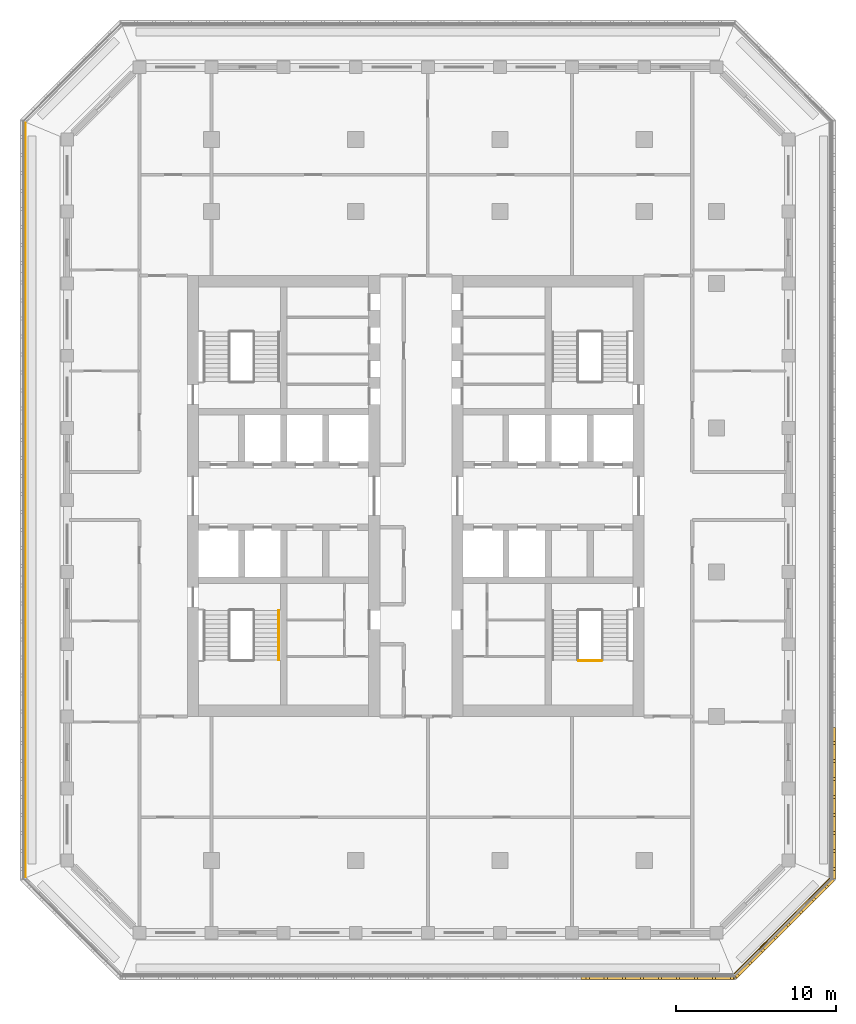
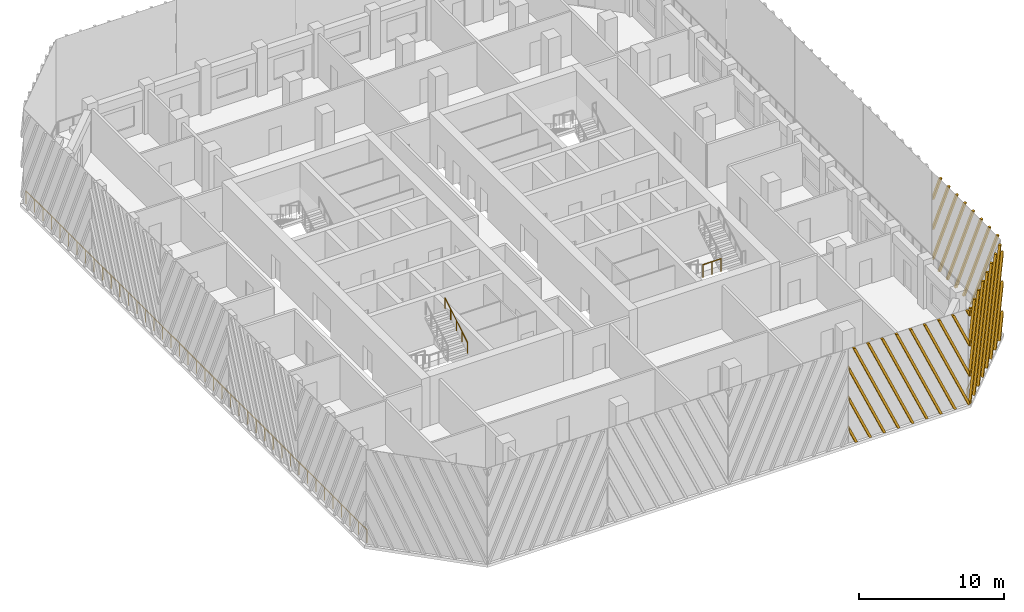
# One storey, part 11 of 17: 4 railings, 3 shading devices.
"""IFC4 building model written with IfcOpenShell, lengths in metres."""

from ifc_helpers import new_model, si_unit, direction, frame, origin, origin_2d, place, context, subcontext, project, spatial, polyline, circle, outline, extrude, source, transform, mapped, material, type_object, element, save


model = new_model("IFC4")

# Units and contexts
model_context = context("Model", 3, precision=1e-05, world=origin(), true_north=direction((0.0, 1.0)))
body_context = subcontext(model_context, "Body", "Model", "MODEL_VIEW")
ifc_project = project(units=[si_unit("LENGTHUNIT", "METRE"), si_unit("AREAUNIT", "SQUARE_METRE"), si_unit("VOLUMEUNIT", "CUBIC_METRE"), si_unit("PLANEANGLEUNIT", "RADIAN"), si_unit("MASSUNIT", "GRAM", prefix="KILO")], contexts=[model_context])

# Site, building, storey
site_placement = place(None, origin())
site = spatial("IfcSite", under=ifc_project, at=site_placement, CompositionType="ELEMENT")
building_placement = place(site_placement, origin())
building = spatial("IfcBuilding", under=site, at=building_placement, Name="Corbel Stack Research Tower", CompositionType="ELEMENT")
storey_placement = place(building_placement, frame((0.0, 0.0, 239.800048828125)))
storey = spatial("IfcBuildingStorey", under=building, at=storey_placement, Name="L54", CompositionType="ELEMENT", Elevation=239.800048828125)

# Railings
ifc_material_1 = material(Name="Steel S355", Category="steel")
railing_type_1 = type_object("IfcRailingType", Name="Stair guard 1100", PredefinedType="GUARDRAIL", material=ifc_material_1)
railing_1_placement = place(storey_placement, frame((13.89990234375, -5.530029296875, 2.050048828125)))
element("IfcRailing", 1, at=railing_1_placement, inside=storey, type_object=railing_type_1, Name="L54 ST-E1 stair guard 2", PredefinedType="GUARDRAIL", context=body_context, shape_type="SweptSolid", body=[
    extrude(circle(Radius=0.02392578125, at=origin_2d()), frame((0.0, 0.0, 1.076171875), z_axis=(1.0, 0.0, 0.0), x_axis=(0.0, 1.0, 0.0)), (0.0, 0.0, 1.0), 1.4501953125),
    extrude(circle(Radius=0.02099609375, at=origin_2d()), origin(), (0.0, 0.0, 1.0), 1.052001953125),
    extrude(circle(Radius=0.02099609375, at=origin_2d()), frame((0.72509765625, 0.0, 0.0)), (0.0, 0.0, 1.0), 1.052001953125),
    extrude(circle(Radius=0.02099609375, at=origin_2d()), frame((1.4501953125, 0.0, 0.0)), (0.0, 0.0, 1.0), 1.052001953125),
])
ifc_material_2 = material(Name="Steel S355", Category="steel")
railing_type_2 = type_object("IfcRailingType", Name="Stair handrail 900", PredefinedType="HANDRAIL", material=ifc_material_2)
railing_2_placement = place(storey_placement, frame((-4.800048828125, -5.47998046875, 2.220703125)))
element("IfcRailing", 2, at=railing_2_placement, inside=storey, type_object=railing_type_2, Name="L54 ST-W1 stair handrail 2", PredefinedType="HANDRAIL", context=body_context, shape_type="SweptSolid", body=[
    extrude(circle(Radius=0.02392578125, at=origin_2d()), frame((0.0, 0.0, 0.8759765625), z_axis=(0.0, 0.853666305674, 0.52082035152), x_axis=(-1.0, 0.0, 0.0)), (0.0, 0.0, 1.0), 3.608154296875),
    extrude(circle(Radius=0.02099609375, at=origin_2d()), origin(), (0.0, 0.0, 1.0), 0.851806640625),
    extrude(circle(Radius=0.02099609375, at=origin_2d()), frame((0.0, 0.77001953125, 0.4697265625)), (0.0, 0.0, 1.0), 0.851806640625),
    extrude(circle(Radius=0.02099609375, at=origin_2d()), frame((0.0, 1.5400390625, 0.939453125)), (0.0, 0.0, 1.0), 0.851806640625),
    extrude(circle(Radius=0.02099609375, at=origin_2d()), frame((0.0, 2.31005859375, 1.409423828125)), (0.0, 0.0, 1.0), 0.851806640625),
    extrude(circle(Radius=0.02099609375, at=origin_2d()), frame((0.0, 3.080078125, 1.879150390625)), (0.0, 0.0, 1.0), 0.851806640625),
])
ifc_material_3 = material(Name="Powder-coated steel guard", Category="steel")
railing_type_3 = type_object("IfcRailingType", Name="Steel and glass guard 1100", PredefinedType="GUARDRAIL", material=ifc_material_3)
railing_3_placement = place(storey_placement, frame((23.627685546875, -25.04931640625, 0.0)))
element("IfcRailing", 3, at=railing_3_placement, inside=storey, type_object=railing_type_3, Name="Loggia guard L54 SE", PredefinedType="GUARDRAIL", context=body_context, shape_type="SweptSolid", body=[
    extrude(circle(Radius=0.02392578125, at=origin_2d()), frame((0.0, 0.0, 1.076171875), z_axis=(0.707106781187, 0.707106781187, 0.0), x_axis=(-0.707106781187, 0.707106781187, 0.0)), (0.0, 0.0, 1.0), 8.37451171875),
    extrude(circle(Radius=0.02099609375, at=origin_2d()), origin(), (0.0, 0.0, 1.0), 1.052001953125),
    extrude(circle(Radius=0.02099609375, at=origin_2d()), frame((0.845947265625, 0.845947265625, 0.0)), (0.0, 0.0, 1.0), 1.052001953125),
    extrude(circle(Radius=0.02099609375, at=origin_2d()), frame((1.69189453125, 1.69189453125, 0.0)), (0.0, 0.0, 1.0), 1.052001953125),
    extrude(circle(Radius=0.02099609375, at=origin_2d()), frame((2.537841796875, 2.537841796875, 0.0)), (0.0, 0.0, 1.0), 1.052001953125),
    extrude(circle(Radius=0.02099609375, at=origin_2d()), frame((3.3837890625, 3.3837890625, 0.0)), (0.0, 0.0, 1.0), 1.052001953125),
    extrude(circle(Radius=0.02099609375, at=origin_2d()), frame((4.229736328125, 4.229736328125, 0.0)), (0.0, 0.0, 1.0), 1.052001953125),
    extrude(circle(Radius=0.02099609375, at=origin_2d()), frame((5.07568359375, 5.07568359375, 0.0)), (0.0, 0.0, 1.0), 1.052001953125),
    extrude(circle(Radius=0.02099609375, at=origin_2d()), frame((5.921630859375, 5.921630859375, 0.0)), (0.0, 0.0, 1.0), 1.052001953125),
])
railing_4_placement = place(storey_placement, frame((-20.60009765625, 28.00537109375, 0.0)))
element("IfcRailing", 4, at=railing_4_placement, inside=storey, type_object=railing_type_3, Name="Loggia guard L54 W", PredefinedType="GUARDRAIL", context=body_context, shape_type="SweptSolid", body=[
    extrude(circle(Radius=0.02392578125, at=origin_2d()), frame((0.0, 0.0, 1.076171875), z_axis=(0.0, -1.0, 0.0), x_axis=(1.0, 0.0, 0.0)), (0.0, 0.0, 1.0), 47.0107421875),
    extrude(circle(Radius=0.02099609375, at=origin_2d()), origin(), (0.0, 0.0, 1.0), 1.052001953125),
    extrude(circle(Radius=0.02099609375, at=origin_2d()), frame((0.0, -1.17529296875, 0.0)), (0.0, 0.0, 1.0), 1.052001953125),
    extrude(circle(Radius=0.02099609375, at=origin_2d()), frame((0.0, -2.3505859375, 0.0)), (0.0, 0.0, 1.0), 1.052001953125),
    extrude(circle(Radius=0.02099609375, at=origin_2d()), frame((0.0, -3.52587890625, 0.0)), (0.0, 0.0, 1.0), 1.052001953125),
    extrude(circle(Radius=0.02099609375, at=origin_2d()), frame((0.0, -4.701171875, 0.0)), (0.0, 0.0, 1.0), 1.052001953125),
    extrude(circle(Radius=0.02099609375, at=origin_2d()), frame((0.0, -5.87646484375, 0.0)), (0.0, 0.0, 1.0), 1.052001953125),
    extrude(circle(Radius=0.02099609375, at=origin_2d()), frame((0.0, -7.051513671875, 0.0)), (0.0, 0.0, 1.0), 1.052001953125),
    extrude(circle(Radius=0.02099609375, at=origin_2d()), frame((0.0, -8.226806640625, 0.0)), (0.0, 0.0, 1.0), 1.052001953125),
    extrude(circle(Radius=0.02099609375, at=origin_2d()), frame((0.0, -9.402099609375, 0.0)), (0.0, 0.0, 1.0), 1.052001953125),
    extrude(circle(Radius=0.02099609375, at=origin_2d()), frame((0.0, -10.577392578125, 0.0)), (0.0, 0.0, 1.0), 1.052001953125),
    extrude(circle(Radius=0.02099609375, at=origin_2d()), frame((0.0, -11.752685546875, 0.0)), (0.0, 0.0, 1.0), 1.052001953125),
    extrude(circle(Radius=0.02099609375, at=origin_2d()), frame((0.0, -12.927978515625, 0.0)), (0.0, 0.0, 1.0), 1.052001953125),
    extrude(circle(Radius=0.02099609375, at=origin_2d()), frame((0.0, -14.103271484375, 0.0)), (0.0, 0.0, 1.0), 1.052001953125),
    extrude(circle(Radius=0.02099609375, at=origin_2d()), frame((0.0, -15.278564453125, 0.0)), (0.0, 0.0, 1.0), 1.052001953125),
    extrude(circle(Radius=0.02099609375, at=origin_2d()), frame((0.0, -16.453857421875, 0.0)), (0.0, 0.0, 1.0), 1.052001953125),
    extrude(circle(Radius=0.02099609375, at=origin_2d()), frame((0.0, -17.62890625, 0.0)), (0.0, 0.0, 1.0), 1.052001953125),
    extrude(circle(Radius=0.02099609375, at=origin_2d()), frame((0.0, -18.80419921875, 0.0)), (0.0, 0.0, 1.0), 1.052001953125),
    extrude(circle(Radius=0.02099609375, at=origin_2d()), frame((0.0, -19.9794921875, 0.0)), (0.0, 0.0, 1.0), 1.052001953125),
    extrude(circle(Radius=0.02099609375, at=origin_2d()), frame((0.0, -21.15478515625, 0.0)), (0.0, 0.0, 1.0), 1.052001953125),
    extrude(circle(Radius=0.02099609375, at=origin_2d()), frame((0.0, -22.330078125, 0.0)), (0.0, 0.0, 1.0), 1.052001953125),
    extrude(circle(Radius=0.02099609375, at=origin_2d()), frame((0.0, -23.50537109375, 0.0)), (0.0, 0.0, 1.0), 1.052001953125),
    extrude(circle(Radius=0.02099609375, at=origin_2d()), frame((0.0, -24.6806640625, 0.0)), (0.0, 0.0, 1.0), 1.052001953125),
    extrude(circle(Radius=0.02099609375, at=origin_2d()), frame((0.0, -25.85595703125, 0.0)), (0.0, 0.0, 1.0), 1.052001953125),
    extrude(circle(Radius=0.02099609375, at=origin_2d()), frame((0.0, -27.03125, 0.0)), (0.0, 0.0, 1.0), 1.052001953125),
    extrude(circle(Radius=0.02099609375, at=origin_2d()), frame((0.0, -28.20654296875, 0.0)), (0.0, 0.0, 1.0), 1.052001953125),
    extrude(circle(Radius=0.02099609375, at=origin_2d()), frame((0.0, -29.3818359375, 0.0)), (0.0, 0.0, 1.0), 1.052001953125),
    extrude(circle(Radius=0.02099609375, at=origin_2d()), frame((0.0, -30.556884765625, 0.0)), (0.0, 0.0, 1.0), 1.052001953125),
    extrude(circle(Radius=0.02099609375, at=origin_2d()), frame((0.0, -31.732177734375, 0.0)), (0.0, 0.0, 1.0), 1.052001953125),
    extrude(circle(Radius=0.02099609375, at=origin_2d()), frame((0.0, -32.907470703125, 0.0)), (0.0, 0.0, 1.0), 1.052001953125),
    extrude(circle(Radius=0.02099609375, at=origin_2d()), frame((0.0, -34.082763671875, 0.0)), (0.0, 0.0, 1.0), 1.052001953125),
    extrude(circle(Radius=0.02099609375, at=origin_2d()), frame((0.0, -35.258056640625, 0.0)), (0.0, 0.0, 1.0), 1.052001953125),
    extrude(circle(Radius=0.02099609375, at=origin_2d()), frame((0.0, -36.433349609375, 0.0)), (0.0, 0.0, 1.0), 1.052001953125),
    extrude(circle(Radius=0.02099609375, at=origin_2d()), frame((0.0, -37.608642578125, 0.0)), (0.0, 0.0, 1.0), 1.052001953125),
    extrude(circle(Radius=0.02099609375, at=origin_2d()), frame((0.0, -38.783935546875, 0.0)), (0.0, 0.0, 1.0), 1.052001953125),
    extrude(circle(Radius=0.02099609375, at=origin_2d()), frame((0.0, -39.959228515625, 0.0)), (0.0, 0.0, 1.0), 1.052001953125),
    extrude(circle(Radius=0.02099609375, at=origin_2d()), frame((0.0, -41.13427734375, 0.0)), (0.0, 0.0, 1.0), 1.052001953125),
    extrude(circle(Radius=0.02099609375, at=origin_2d()), frame((0.0, -42.3095703125, 0.0)), (0.0, 0.0, 1.0), 1.052001953125),
    extrude(circle(Radius=0.02099609375, at=origin_2d()), frame((0.0, -43.48486328125, 0.0)), (0.0, 0.0, 1.0), 1.052001953125),
    extrude(circle(Radius=0.02099609375, at=origin_2d()), frame((0.0, -44.66015625, 0.0)), (0.0, 0.0, 1.0), 1.052001953125),
    extrude(circle(Radius=0.02099609375, at=origin_2d()), frame((0.0, -45.83544921875, 0.0)), (0.0, 0.0, 1.0), 1.052001953125),
    extrude(circle(Radius=0.02099609375, at=origin_2d()), frame((0.0, -47.0107421875, 0.0)), (0.0, 0.0, 1.0), 1.052001953125),
])

# Shading devices
ifc_material_4 = material(Name="Precast terracotta", Category="masonry")
shading_device_type = type_object("IfcShadingDeviceType", Name="Terracotta screen panel", PredefinedType="USERDEFINED", material=ifc_material_4)
shared_shape_1 = source(origin(), body_context, "Body", "SweptSolid", [
    extrude(outline(polyline([(0.66455078125, 0.0), (0.0, 1.49267578125), (0.0, 1.06591796875), (0.474609375, 0.0), (0.66455078125, 0.0)])), frame((0.0, 0.0, 0.0), z_axis=(0.0, -1.0, 0.0), x_axis=(1.0, 0.0, 0.0)), (0.0, 0.0, 1.0), 0.179931640625),
    extrude(outline(polyline([(1.78955078125, 0.0), (0.0, 4.019287109375), (0.0, 3.592529296875), (1.599609375, 0.0), (1.78955078125, 0.0)])), frame((0.0, 0.0, 0.0), z_axis=(0.0, -1.0, 0.0), x_axis=(1.0, 0.0, 0.0)), (0.0, 0.0, 1.0), 0.179931640625),
    extrude(outline(polyline([(2.91455078125, 0.0), (0.0, 6.546142578125), (0.0, 6.119384765625), (2.724609375, 0.0), (2.91455078125, 0.0)])), frame((0.0, 0.0, 0.0), z_axis=(0.0, -1.0, 0.0), x_axis=(1.0, 0.0, 0.0)), (0.0, 0.0, 1.0), 0.179931640625),
    extrude(outline(polyline([(4.03955078125, 0.0), (0.5, 7.949951171875), (0.31005859375, 7.949951171875), (3.849609375, 0.0), (4.03955078125, 0.0)])), frame((0.0, 0.0, 0.0), z_axis=(0.0, -1.0, 0.0), x_axis=(1.0, 0.0, 0.0)), (0.0, 0.0, 1.0), 0.179931640625),
    extrude(outline(polyline([(5.16455078125, 0.0), (1.625, 7.949951171875), (1.43505859375, 7.949951171875), (4.974609375, 0.0), (5.16455078125, 0.0)])), frame((0.0, 0.0, 0.0), z_axis=(0.0, -1.0, 0.0), x_axis=(1.0, 0.0, 0.0)), (0.0, 0.0, 1.0), 0.179931640625),
    extrude(outline(polyline([(6.28955078125, 0.0), (2.75, 7.949951171875), (2.56005859375, 7.949951171875), (6.099609375, 0.0), (6.28955078125, 0.0)])), frame((0.0, 0.0, 0.0), z_axis=(0.0, -1.0, 0.0), x_axis=(1.0, 0.0, 0.0)), (0.0, 0.0, 1.0), 0.179931640625),
    extrude(outline(polyline([(7.41455078125, 0.0), (3.875, 7.949951171875), (3.68505859375, 7.949951171875), (7.224609375, 0.0), (7.41455078125, 0.0)])), frame((0.0, 0.0, 0.0), z_axis=(0.0, -1.0, 0.0), x_axis=(1.0, 0.0, 0.0)), (0.0, 0.0, 1.0), 0.179931640625),
    extrude(outline(polyline([(8.53955078125, 0.0), (5.0, 7.949951171875), (4.81005859375, 7.949951171875), (8.349609375, 0.0), (8.53955078125, 0.0)])), frame((0.0, 0.0, 0.0), z_axis=(0.0, -1.0, 0.0), x_axis=(1.0, 0.0, 0.0)), (0.0, 0.0, 1.0), 0.179931640625),
    extrude(outline(polyline([(9.569580078125, 0.0), (9.569580078125, 0.21337890625), (6.125, 7.949951171875), (5.93505859375, 7.949951171875), (9.474609375, 0.0), (9.569580078125, 0.0)])), frame((0.0, 0.0, 0.0), z_axis=(0.0, -1.0, 0.0), x_axis=(1.0, 0.0, 0.0)), (0.0, 0.0, 1.0), 0.179931640625),
    extrude(outline(polyline([(7.25, 7.949951171875), (7.06005859375, 7.949951171875), (9.569580078125, 2.3134765625), (9.569580078125, 2.740234375), (7.25, 7.949951171875)])), frame((0.0, 0.0, 0.0), z_axis=(0.0, -1.0, 0.0), x_axis=(1.0, 0.0, 0.0)), (0.0, 0.0, 1.0), 0.179931640625),
    extrude(outline(polyline([(8.375, 7.949951171875), (8.18505859375, 7.949951171875), (9.569580078125, 4.840087890625), (9.569580078125, 5.26708984375), (8.375, 7.949951171875)])), frame((0.0, 0.0, 0.0), z_axis=(0.0, -1.0, 0.0), x_axis=(1.0, 0.0, 0.0)), (0.0, 0.0, 1.0), 0.179931640625),
    extrude(outline(polyline([(9.5, 7.949951171875), (9.31005859375, 7.949951171875), (9.569580078125, 7.366943359375), (9.569580078125, 7.793701171875), (9.5, 7.949951171875)])), frame((0.0, 0.0, 0.0), z_axis=(0.0, -1.0, 0.0), x_axis=(1.0, 0.0, 0.0)), (0.0, 0.0, 1.0), 0.179931640625),
])
shading_device_1_placement = place(storey_placement, frame((14.069580078125, -25.25, 0.0), z_axis=(0.0, 0.0, 1.0), x_axis=(1.0, 0.0, 0.0)))
element("IfcShadingDevice", 5, at=shading_device_1_placement, inside=storey, type_object=shading_device_type, Name="Terracotta screen L54 S4", ObjectType="SCREEN", PredefinedType="USERDEFINED", context=body_context, shape_type="MappedRepresentation", body=[
    mapped(shared_shape_1, transform((0.0, 0.0, 0.0))),
])
shared_shape_2 = source(origin(), body_context, "Body", "SweptSolid", [
    extrude(outline(polyline([(0.259521484375, 7.949951171875), (0.069580078125, 7.949951171875), (0.0, 7.793701171875), (0.0, 7.366943359375), (0.259521484375, 7.949951171875)])), frame((0.0, 0.0, 0.0), z_axis=(0.0, -1.0, 0.0), x_axis=(1.0, 0.0, 0.0)), (0.0, 0.0, 1.0), 0.179931640625),
    extrude(outline(polyline([(1.384521484375, 7.949951171875), (1.194580078125, 7.949951171875), (0.0, 5.26708984375), (0.0, 4.840087890625), (1.384521484375, 7.949951171875)])), frame((0.0, 0.0, 0.0), z_axis=(0.0, -1.0, 0.0), x_axis=(1.0, 0.0, 0.0)), (0.0, 0.0, 1.0), 0.179931640625),
    extrude(outline(polyline([(2.509521484375, 7.949951171875), (2.319580078125, 7.949951171875), (0.0, 2.740234375), (0.0, 2.3134765625), (2.509521484375, 7.949951171875)])), frame((0.0, 0.0, 0.0), z_axis=(0.0, -1.0, 0.0), x_axis=(1.0, 0.0, 0.0)), (0.0, 0.0, 1.0), 0.179931640625),
    extrude(outline(polyline([(0.094970703125, 0.0), (3.634521484375, 7.949951171875), (3.444580078125, 7.949951171875), (0.0, 0.21337890625), (0.0, 0.0), (0.094970703125, 0.0)])), frame((0.0, 0.0, 0.0), z_axis=(0.0, -1.0, 0.0), x_axis=(1.0, 0.0, 0.0)), (0.0, 0.0, 1.0), 0.179931640625),
    extrude(outline(polyline([(1.219970703125, 0.0), (4.759521484375, 7.949951171875), (4.569580078125, 7.949951171875), (1.030029296875, 0.0), (1.219970703125, 0.0)])), frame((0.0, 0.0, 0.0), z_axis=(0.0, -1.0, 0.0), x_axis=(1.0, 0.0, 0.0)), (0.0, 0.0, 1.0), 0.179931640625),
    extrude(outline(polyline([(2.344970703125, 0.0), (5.884521484375, 7.949951171875), (5.694580078125, 7.949951171875), (2.155029296875, 0.0), (2.344970703125, 0.0)])), frame((0.0, 0.0, 0.0), z_axis=(0.0, -1.0, 0.0), x_axis=(1.0, 0.0, 0.0)), (0.0, 0.0, 1.0), 0.179931640625),
    extrude(outline(polyline([(3.469970703125, 0.0), (7.009521484375, 7.949951171875), (6.819580078125, 7.949951171875), (3.280029296875, 0.0), (3.469970703125, 0.0)])), frame((0.0, 0.0, 0.0), z_axis=(0.0, -1.0, 0.0), x_axis=(1.0, 0.0, 0.0)), (0.0, 0.0, 1.0), 0.179931640625),
    extrude(outline(polyline([(4.594970703125, 0.0), (8.134521484375, 7.949951171875), (7.944580078125, 7.949951171875), (4.405029296875, 0.0), (4.594970703125, 0.0)])), frame((0.0, 0.0, 0.0), z_axis=(0.0, -1.0, 0.0), x_axis=(1.0, 0.0, 0.0)), (0.0, 0.0, 1.0), 0.179931640625),
    extrude(outline(polyline([(5.719970703125, 0.0), (8.64208984375, 6.563232421875), (8.64208984375, 6.989990234375), (5.530029296875, 0.0), (5.719970703125, 0.0)])), frame((0.0, 0.0, 0.0), z_axis=(0.0, -1.0, 0.0), x_axis=(1.0, 0.0, 0.0)), (0.0, 0.0, 1.0), 0.179931640625),
    extrude(outline(polyline([(6.844970703125, 0.0), (8.64208984375, 4.036376953125), (8.64208984375, 4.463134765625), (6.655029296875, 0.0), (6.844970703125, 0.0)])), frame((0.0, 0.0, 0.0), z_axis=(0.0, -1.0, 0.0), x_axis=(1.0, 0.0, 0.0)), (0.0, 0.0, 1.0), 0.179931640625),
    extrude(outline(polyline([(7.969970703125, 0.0), (8.64208984375, 1.509521484375), (8.64208984375, 1.936279296875), (7.780029296875, 0.0), (7.969970703125, 0.0)])), frame((0.0, 0.0, 0.0), z_axis=(0.0, -1.0, 0.0), x_axis=(1.0, 0.0, 0.0)), (0.0, 0.0, 1.0), 0.179931640625),
])
shading_device_2_placement = place(storey_placement, frame((23.63916015625, -25.25, 0.0), z_axis=(0.0, 0.0, 1.0), x_axis=(0.707106781187, 0.707106781187, 0.0)))
element("IfcShadingDevice", 6, at=shading_device_2_placement, inside=storey, type_object=shading_device_type, Name="Terracotta screen L54 SE1", ObjectType="SCREEN", PredefinedType="USERDEFINED", context=body_context, shape_type="MappedRepresentation", body=[
    mapped(shared_shape_2, transform((0.0, 0.0, 0.0))),
])
shared_shape_3 = source(origin(), body_context, "Body", "SweptSolid", [
    extrude(outline(polyline([(0.862060546875, 0.0), (0.0, 1.936279296875), (0.0, 1.509521484375), (0.672119140625, 0.0), (0.862060546875, 0.0)])), frame((0.0, 0.0, 0.0), z_axis=(0.0, -1.0, 0.0), x_axis=(1.0, 0.0, 0.0)), (0.0, 0.0, 1.0), 0.179931640625),
    extrude(outline(polyline([(1.987060546875, 0.0), (0.0, 4.463134765625), (0.0, 4.036376953125), (1.797119140625, 0.0), (1.987060546875, 0.0)])), frame((0.0, 0.0, 0.0), z_axis=(0.0, -1.0, 0.0), x_axis=(1.0, 0.0, 0.0)), (0.0, 0.0, 1.0), 0.179931640625),
    extrude(outline(polyline([(3.112060546875, 0.0), (0.0, 6.989990234375), (0.0, 6.563232421875), (2.922119140625, 0.0), (3.112060546875, 0.0)])), frame((0.0, 0.0, 0.0), z_axis=(0.0, -1.0, 0.0), x_axis=(1.0, 0.0, 0.0)), (0.0, 0.0, 1.0), 0.179931640625),
    extrude(outline(polyline([(4.237060546875, 0.0), (0.697509765625, 7.949951171875), (0.507568359375, 7.949951171875), (4.047119140625, 0.0), (4.237060546875, 0.0)])), frame((0.0, 0.0, 0.0), z_axis=(0.0, -1.0, 0.0), x_axis=(1.0, 0.0, 0.0)), (0.0, 0.0, 1.0), 0.179931640625),
    extrude(outline(polyline([(5.362060546875, 0.0), (1.822509765625, 7.949951171875), (1.632568359375, 7.949951171875), (5.172119140625, 0.0), (5.362060546875, 0.0)])), frame((0.0, 0.0, 0.0), z_axis=(0.0, -1.0, 0.0), x_axis=(1.0, 0.0, 0.0)), (0.0, 0.0, 1.0), 0.179931640625),
    extrude(outline(polyline([(6.487060546875, 0.0), (2.947509765625, 7.949951171875), (2.757568359375, 7.949951171875), (6.297119140625, 0.0), (6.487060546875, 0.0)])), frame((0.0, 0.0, 0.0), z_axis=(0.0, -1.0, 0.0), x_axis=(1.0, 0.0, 0.0)), (0.0, 0.0, 1.0), 0.179931640625),
    extrude(outline(polyline([(7.612060546875, 0.0), (4.072509765625, 7.949951171875), (3.882568359375, 7.949951171875), (7.422119140625, 0.0), (7.612060546875, 0.0)])), frame((0.0, 0.0, 0.0), z_axis=(0.0, -1.0, 0.0), x_axis=(1.0, 0.0, 0.0)), (0.0, 0.0, 1.0), 0.179931640625),
    extrude(outline(polyline([(8.737060546875, 0.0), (5.197509765625, 7.949951171875), (5.007568359375, 7.949951171875), (8.547119140625, 0.0), (8.737060546875, 0.0)])), frame((0.0, 0.0, 0.0), z_axis=(0.0, -1.0, 0.0), x_axis=(1.0, 0.0, 0.0)), (0.0, 0.0, 1.0), 0.179931640625),
    extrude(outline(polyline([(6.322509765625, 7.949951171875), (6.132568359375, 7.949951171875), (9.45556640625, 0.486328125), (9.45556640625, 0.9130859375), (6.322509765625, 7.949951171875)])), frame((0.0, 0.0, 0.0), z_axis=(0.0, -1.0, 0.0), x_axis=(1.0, 0.0, 0.0)), (0.0, 0.0, 1.0), 0.179931640625),
    extrude(outline(polyline([(7.447509765625, 7.949951171875), (7.257568359375, 7.949951171875), (9.45556640625, 3.01318359375), (9.45556640625, 3.439697265625), (7.447509765625, 7.949951171875)])), frame((0.0, 0.0, 0.0), z_axis=(0.0, -1.0, 0.0), x_axis=(1.0, 0.0, 0.0)), (0.0, 0.0, 1.0), 0.179931640625),
    extrude(outline(polyline([(8.572509765625, 7.949951171875), (8.382568359375, 7.949951171875), (9.45556640625, 5.539794921875), (9.45556640625, 5.966552734375), (8.572509765625, 7.949951171875)])), frame((0.0, 0.0, 0.0), z_axis=(0.0, -1.0, 0.0), x_axis=(1.0, 0.0, 0.0)), (0.0, 0.0, 1.0), 0.179931640625),
])
shading_device_3_placement = place(storey_placement, frame((29.75, -19.13916015625, 0.0), z_axis=(0.0, 0.0, 1.0), x_axis=(0.0, 1.0, 0.0)))
element("IfcShadingDevice", 7, at=shading_device_3_placement, inside=storey, type_object=shading_device_type, Name="Terracotta screen L54 E1", ObjectType="SCREEN", PredefinedType="USERDEFINED", context=body_context, shape_type="MappedRepresentation", body=[
    mapped(shared_shape_3, transform((0.0, 0.0, 0.0))),
])

save(model, "model.ifc")
